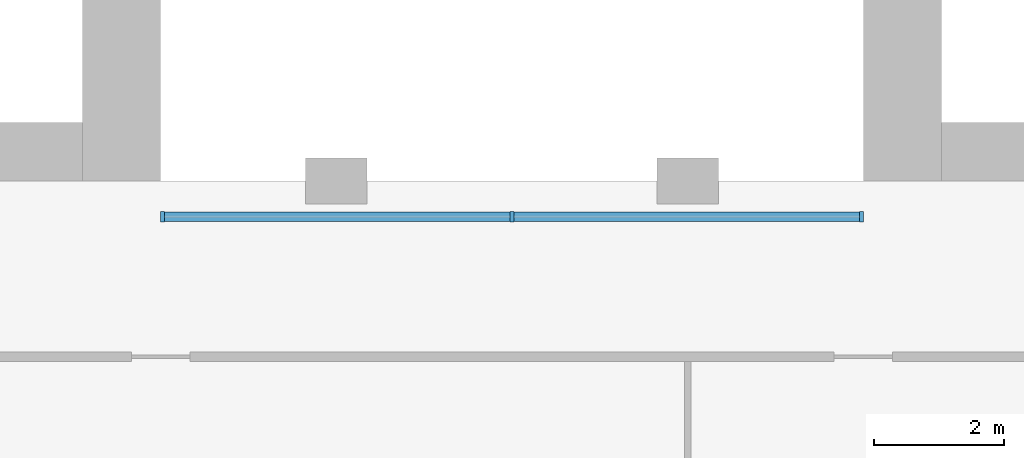
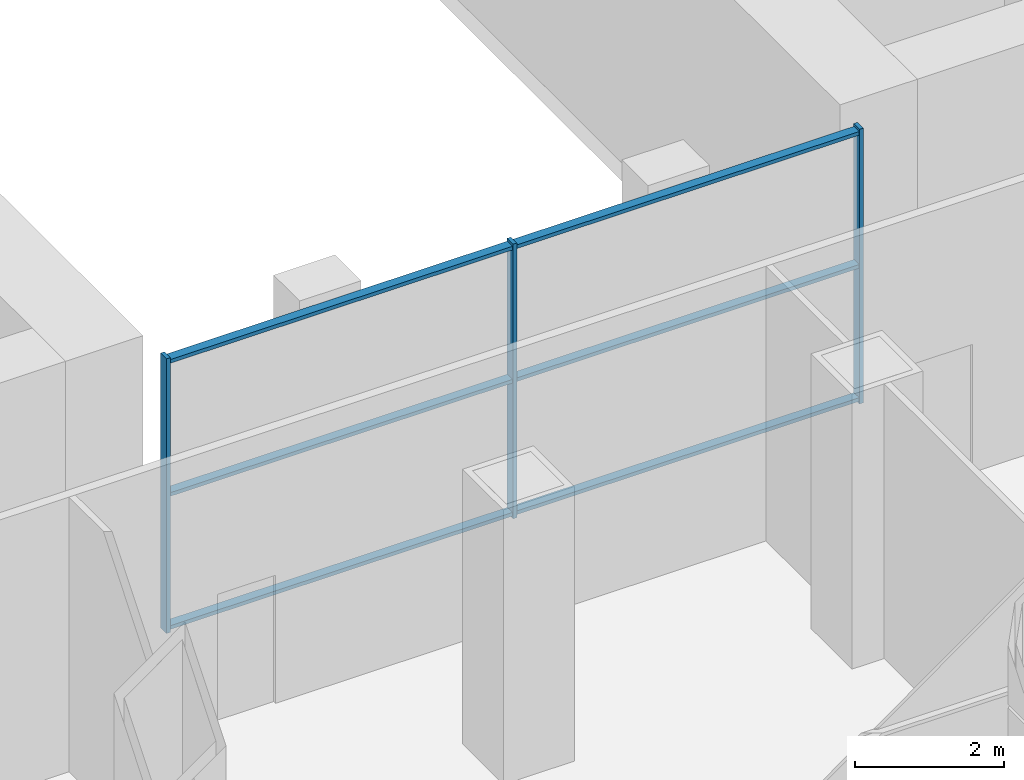
# One storey, part 3 of 15: 9 members, 1 element without a shape of its own.
"""IFC4 building model written with IfcOpenShell, lengths in metres."""

from ifc_helpers import new_model, si_unit, direction, frame, origin, origin_2d, place, context, subcontext, project, spatial, rectangle, extrude, material, material_profile, profile_set, type_object, element, aggregate, save


model = new_model("IFC4")

# Units and contexts
model_context = context("Model", 3, precision=1e-05, world=origin(), true_north=direction((0.0, 1.0)))
body_context = subcontext(model_context, "Body", "Model", "MODEL_VIEW")
ifc_project = project(units=[si_unit("LENGTHUNIT", "METRE"), si_unit("AREAUNIT", "SQUARE_METRE"), si_unit("VOLUMEUNIT", "CUBIC_METRE"), si_unit("PLANEANGLEUNIT", "RADIAN"), si_unit("MASSUNIT", "GRAM", prefix="KILO")], contexts=[model_context])

# Site, building, storey
site_placement = place(None, origin())
site = spatial("IfcSite", under=ifc_project, at=site_placement, CompositionType="ELEMENT")
building_placement = place(site_placement, origin())
building = spatial("IfcBuilding", under=site, at=building_placement, Name="Tabaq Tower and Sports Hall", CompositionType="ELEMENT")
storey_placement = place(building_placement, frame((0.0, 0.0, 138.39990234375)))
storey = spatial("IfcBuildingStorey", under=building, at=storey_placement, Name="L32", CompositionType="ELEMENT", Elevation=138.39990234375)

# Curtain wall, members
ifc_material_1 = material(Name="Aluminium alloy 6063-T6 framed glazing", Category="aluminium")
curtain_wall_type = type_object("IfcCurtainWallType", Name="CW1 curtain wall", PredefinedType="USERDEFINED", material=ifc_material_1)
curtain_wall_placement = place(storey_placement, origin())
curtain_wall = element("IfcCurtainWall", 1, at=curtain_wall_placement, inside=storey, type_object=curtain_wall_type, Name="Atrium glazing L32 S", ObjectType="ATRIUM ENCLOSURE", PredefinedType="USERDEFINED")
ifc_material_2 = material(Name="Aluminium alloy 6063-T6", Category="aluminium")
ifc_material_profile_1 = material_profile(ifc_material_2, rectangle(XDim=0.159912109375, YDim=0.06005859375, at=origin_2d()), Name="MULLION 160x60")
ifc_profile_set_1 = profile_set([ifc_material_profile_1], Name="Aluminium alloy 6063-T6")
member_type_1 = type_object("IfcMemberType", Name="CW1 mullion 160x60", PredefinedType="MULLION", material=ifc_profile_set_1)
member_1_placement = place(storey_placement, frame((18.929931640625, 15.64990234375, 0.0), z_axis=(0.0, 0.0, 1.0), x_axis=(0.0, 1.0, 0.0)))
member_1 = element("IfcMember", 2, at=member_1_placement, type_object=member_type_1, Name="CW1 mullion 1", PredefinedType="MULLION", context=body_context, shape_type="SweptSolid", body=[
    extrude(rectangle(XDim=0.159912109375, YDim=0.06005859375, at=origin_2d()), origin(), (0.0, 0.0, 1.0), 4.5),
])
member_2_placement = place(storey_placement, frame((24.300048828125, 15.64990234375, 0.0), z_axis=(0.0, 0.0, 1.0), x_axis=(0.0, 1.0, 0.0)))
member_2 = element("IfcMember", 3, at=member_2_placement, type_object=member_type_1, Name="CW1 mullion 2", PredefinedType="MULLION", context=body_context, shape_type="SweptSolid", body=[
    extrude(rectangle(XDim=0.159912109375, YDim=0.06005859375, at=origin_2d()), origin(), (0.0, 0.0, 1.0), 4.5),
])
member_3_placement = place(storey_placement, frame((29.669921875, 15.64990234375, 0.0), z_axis=(0.0, 0.0, 1.0), x_axis=(0.0, 1.0, 0.0)))
member_3 = element("IfcMember", 4, at=member_3_placement, type_object=member_type_1, Name="CW1 mullion 3", PredefinedType="MULLION", context=body_context, shape_type="SweptSolid", body=[
    extrude(rectangle(XDim=0.159912109375, YDim=0.06005859375, at=origin_2d()), origin(), (0.0, 0.0, 1.0), 4.5),
])
ifc_material_3 = material(Name="Aluminium alloy 6063-T6", Category="aluminium")
ifc_material_profile_2 = material_profile(ifc_material_3, rectangle(XDim=0.139892578125, YDim=0.06005859375, at=origin_2d()), Name="TRANSOM 140x60")
ifc_profile_set_2 = profile_set([ifc_material_profile_2], Name="Aluminium alloy 6063-T6")
member_type_2 = type_object("IfcMemberType", Name="CW1 transom 140x60", PredefinedType="USERDEFINED", material=ifc_profile_set_2)
member_4_placement = place(storey_placement, frame((18.9599609375, 15.64990234375, 0.070068359375), z_axis=(1.0, 0.0, 0.0), x_axis=(0.0, 1.0, 0.0)))
member_4 = element("IfcMember", 5, at=member_4_placement, type_object=member_type_2, Name="CW1 transom 1.1", ObjectType="TRANSOM", PredefinedType="USERDEFINED", context=body_context, shape_type="SweptSolid", body=[
    extrude(rectangle(XDim=0.139892578125, YDim=0.06005859375, at=origin_2d()), origin(), (0.0, 0.0, 1.0), 5.31005859375),
])
member_5_placement = place(storey_placement, frame((18.9599609375, 15.64990234375, 2.25), z_axis=(1.0, 0.0, 0.0), x_axis=(0.0, 1.0, 0.0)))
member_5 = element("IfcMember", 6, at=member_5_placement, type_object=member_type_2, Name="CW1 transom 1.2", ObjectType="TRANSOM", PredefinedType="USERDEFINED", context=body_context, shape_type="SweptSolid", body=[
    extrude(rectangle(XDim=0.139892578125, YDim=0.06005859375, at=origin_2d()), origin(), (0.0, 0.0, 1.0), 5.31005859375),
])
member_6_placement = place(storey_placement, frame((18.9599609375, 15.64990234375, 4.43017578125), z_axis=(1.0, 0.0, 0.0), x_axis=(0.0, 1.0, 0.0)))
member_6 = element("IfcMember", 7, at=member_6_placement, type_object=member_type_2, Name="CW1 transom 1.3", ObjectType="TRANSOM", PredefinedType="USERDEFINED", context=body_context, shape_type="SweptSolid", body=[
    extrude(rectangle(XDim=0.139892578125, YDim=0.06005859375, at=origin_2d()), origin(), (0.0, 0.0, 1.0), 5.31005859375),
])
member_7_placement = place(storey_placement, frame((24.330078125, 15.64990234375, 0.070068359375), z_axis=(1.0, 0.0, 0.0), x_axis=(0.0, 1.0, 0.0)))
member_7 = element("IfcMember", 8, at=member_7_placement, type_object=member_type_2, Name="CW1 transom 2.1", ObjectType="TRANSOM", PredefinedType="USERDEFINED", context=body_context, shape_type="SweptSolid", body=[
    extrude(rectangle(XDim=0.139892578125, YDim=0.06005859375, at=origin_2d()), origin(), (0.0, 0.0, 1.0), 5.309814453125),
])
member_8_placement = place(storey_placement, frame((24.330078125, 15.64990234375, 2.25), z_axis=(1.0, 0.0, 0.0), x_axis=(0.0, 1.0, 0.0)))
member_8 = element("IfcMember", 9, at=member_8_placement, type_object=member_type_2, Name="CW1 transom 2.2", ObjectType="TRANSOM", PredefinedType="USERDEFINED", context=body_context, shape_type="SweptSolid", body=[
    extrude(rectangle(XDim=0.139892578125, YDim=0.06005859375, at=origin_2d()), origin(), (0.0, 0.0, 1.0), 5.309814453125),
])
member_9_placement = place(storey_placement, frame((24.330078125, 15.64990234375, 4.43017578125), z_axis=(1.0, 0.0, 0.0), x_axis=(0.0, 1.0, 0.0)))
member_9 = element("IfcMember", 10, at=member_9_placement, type_object=member_type_2, Name="CW1 transom 2.3", ObjectType="TRANSOM", PredefinedType="USERDEFINED", context=body_context, shape_type="SweptSolid", body=[
    extrude(rectangle(XDim=0.139892578125, YDim=0.06005859375, at=origin_2d()), origin(), (0.0, 0.0, 1.0), 5.309814453125),
])
aggregate(curtain_wall, [member_1, member_2, member_3, member_4, member_5, member_6, member_7, member_8, member_9])

save(model, "model.ifc")
